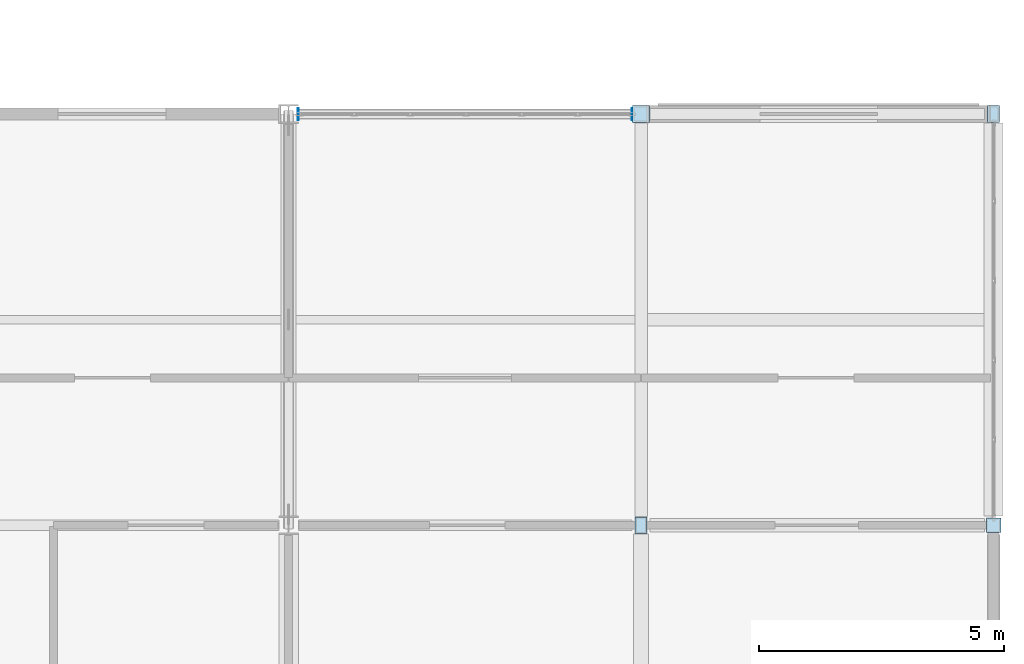
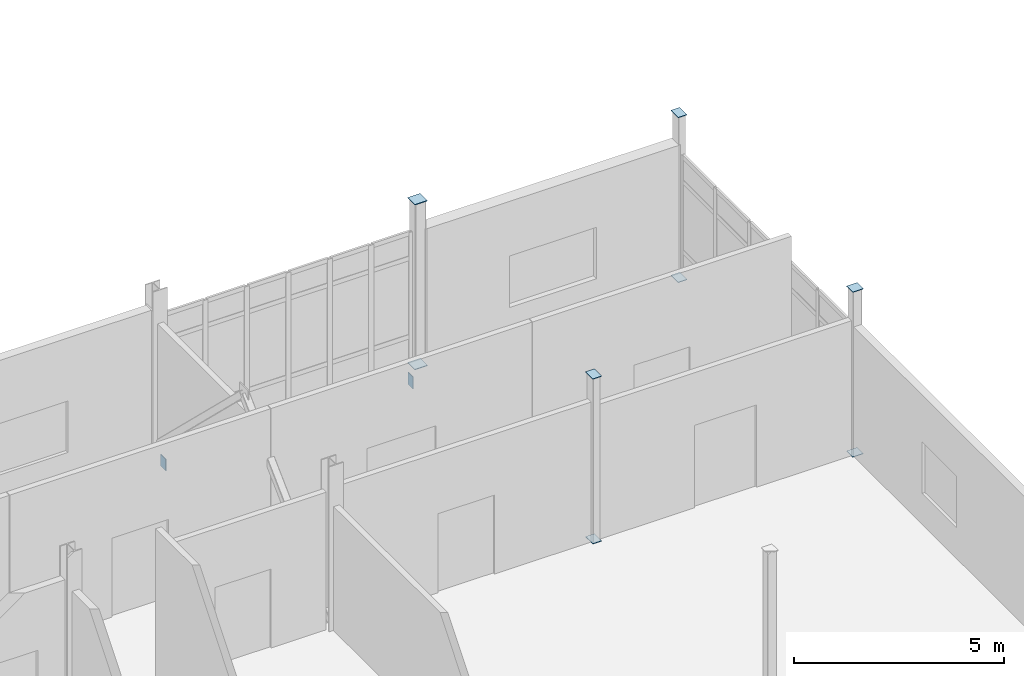
# One storey, part 126 of 153: 10 plates.
"""IFC4 building model written with IfcOpenShell, lengths in metres."""

from ifc_helpers import new_model, si_unit, direction, frame, origin, origin_2d, place, context, subcontext, project, spatial, rectangle, extrude, material, layer, layer_set, type_object, element, save


model = new_model("IFC4")

# Units and contexts
model_context = context("Model", 3, precision=1e-05, world=origin(), true_north=direction((0.0, 1.0)))
body_context = subcontext(model_context, "Body", "Model", "MODEL_VIEW")
ifc_project = project(units=[si_unit("LENGTHUNIT", "METRE"), si_unit("AREAUNIT", "SQUARE_METRE"), si_unit("VOLUMEUNIT", "CUBIC_METRE"), si_unit("PLANEANGLEUNIT", "RADIAN"), si_unit("MASSUNIT", "GRAM", prefix="KILO")], contexts=[model_context])

# Site, building, storey
site_placement = place(None, origin())
site = spatial("IfcSite", under=ifc_project, at=site_placement, CompositionType="ELEMENT")
building_placement = place(site_placement, origin())
building = spatial("IfcBuilding", under=site, at=building_placement, Name="Calvrana Isthmian Art Gallery", CompositionType="ELEMENT")
storey_placement = place(building_placement, frame((0.0, 0.0, 10.199951171875)))
storey = spatial("IfcBuildingStorey", under=building, at=storey_placement, Name="L02", CompositionType="ELEMENT", Elevation=10.199951171875)

# Plates
ifc_material = material(Name="Steel ASTM A572 Gr 50", Category="steel")
ifc_layer = layer(ifc_material, 0.01611328125, Name="Steel ASTM A572 Gr 50")
ifc_layer_set = layer_set([ifc_layer], Name="Steel ASTM A572 Gr 50")
plate_type = type_object("IfcPlateType", Name="PL-CAP-16", PredefinedType="SHEET", material=ifc_layer_set)
for number, where, z_axis, x_axis, name in (
    (1, (148.800048828125, 38.39990234375, -0.008056640625), (0.0, 0.0, 1.0), (1.0, 0.0, 0.0), "Hollow section end cap plate 343"),
    (2, (148.800048828125, 38.39990234375, 4.7919921875), (0.0, 0.0, 1.0), (1.0, 0.0, 0.0), "Hollow section end cap plate 344"),
):
    element("IfcPlate", number, at=place(storey_placement, frame(where, z_axis=z_axis, x_axis=x_axis)), inside=storey, type_object=plate_type, Name=name, PredefinedType="SHEET", context=body_context, shape_type="SweptSolid", body=[
        extrude(rectangle(XDim=0.2431640625, YDim=0.3447265625, at=origin_2d()), origin(), (0.0, 0.0, 1.0), 0.01611328125),
    ])
for number, where, z_axis, x_axis, name in (
    (3, (148.800048828125, 46.800048828125, -0.008056640625), (0.0, 0.0, 1.0), (1.0, 0.0, 0.0), "Hollow section end cap plate 345"),
    (4, (148.800048828125, 46.800048828125, 4.7919921875), (0.0, 0.0, 1.0), (1.0, 0.0, 0.0), "Hollow section end cap plate 346"),
):
    element("IfcPlate", number, at=place(storey_placement, frame(where, z_axis=z_axis, x_axis=x_axis)), inside=storey, type_object=plate_type, Name=name, PredefinedType="SHEET", context=body_context, shape_type="SweptSolid", body=[
        extrude(rectangle(XDim=0.3447265625, YDim=0.3447265625, at=origin_2d()), origin(), (0.0, 0.0, 1.0), 0.01611328125),
    ])
for number, where, z_axis, x_axis, name in (
    (5, (156.0, 38.39990234375, -0.008056640625), (0.0, 0.0, 1.0), (1.0, 0.0, 0.0), "Hollow section end cap plate 357"),
    (6, (156.0, 38.39990234375, 4.7919921875), (0.0, 0.0, 1.0), (1.0, 0.0, 0.0), "Hollow section end cap plate 358"),
):
    element("IfcPlate", number, at=place(storey_placement, frame(where, z_axis=z_axis, x_axis=x_axis)), inside=storey, type_object=plate_type, Name=name, PredefinedType="SHEET", context=body_context, shape_type="SweptSolid", body=[
        extrude(rectangle(XDim=0.2939453125, YDim=0.2939453125, at=origin_2d()), origin(), (0.0, 0.0, 1.0), 0.01611328125),
    ])
for number, where, z_axis, x_axis, name in (
    (7, (156.0, 46.800048828125, -0.008056640625), (0.0, 0.0, 1.0), (1.0, 0.0, 0.0), "Hollow section end cap plate 359"),
    (8, (156.0, 46.800048828125, 4.7919921875), (0.0, 0.0, 1.0), (1.0, 0.0, 0.0), "Hollow section end cap plate 360"),
):
    element("IfcPlate", number, at=place(storey_placement, frame(where, z_axis=z_axis, x_axis=x_axis)), inside=storey, type_object=plate_type, Name=name, PredefinedType="SHEET", context=body_context, shape_type="SweptSolid", body=[
        extrude(rectangle(XDim=0.2431640625, YDim=0.3447265625, at=origin_2d()), origin(), (0.0, 0.0, 1.0), 0.01611328125),
    ])
for number, where, z_axis, x_axis, name in (
    (9, (141.798095703125, 46.800048828125, -0.589599609375), (0.0, 0.0, 1.0), (1.0, 0.0, 0.0), "Hollow section end cap plate 459"),
    (10, (148.614501953125, 46.800048828125, -0.589599609375), (0.0, 0.0, 1.0), (1.0, 0.0, 0.0), "Hollow section end cap plate 460"),
):
    element("IfcPlate", number, at=place(storey_placement, frame(where, z_axis=z_axis, x_axis=x_axis)), inside=storey, type_object=plate_type, Name=name, PredefinedType="SHEET", context=body_context, shape_type="SweptSolid", body=[
        extrude(rectangle(XDim=0.01611328125, YDim=0.2431640625, at=origin_2d()), origin(), (0.0, 0.0, 1.0), 0.3447265625),
    ])

save(model, "model.ifc")
